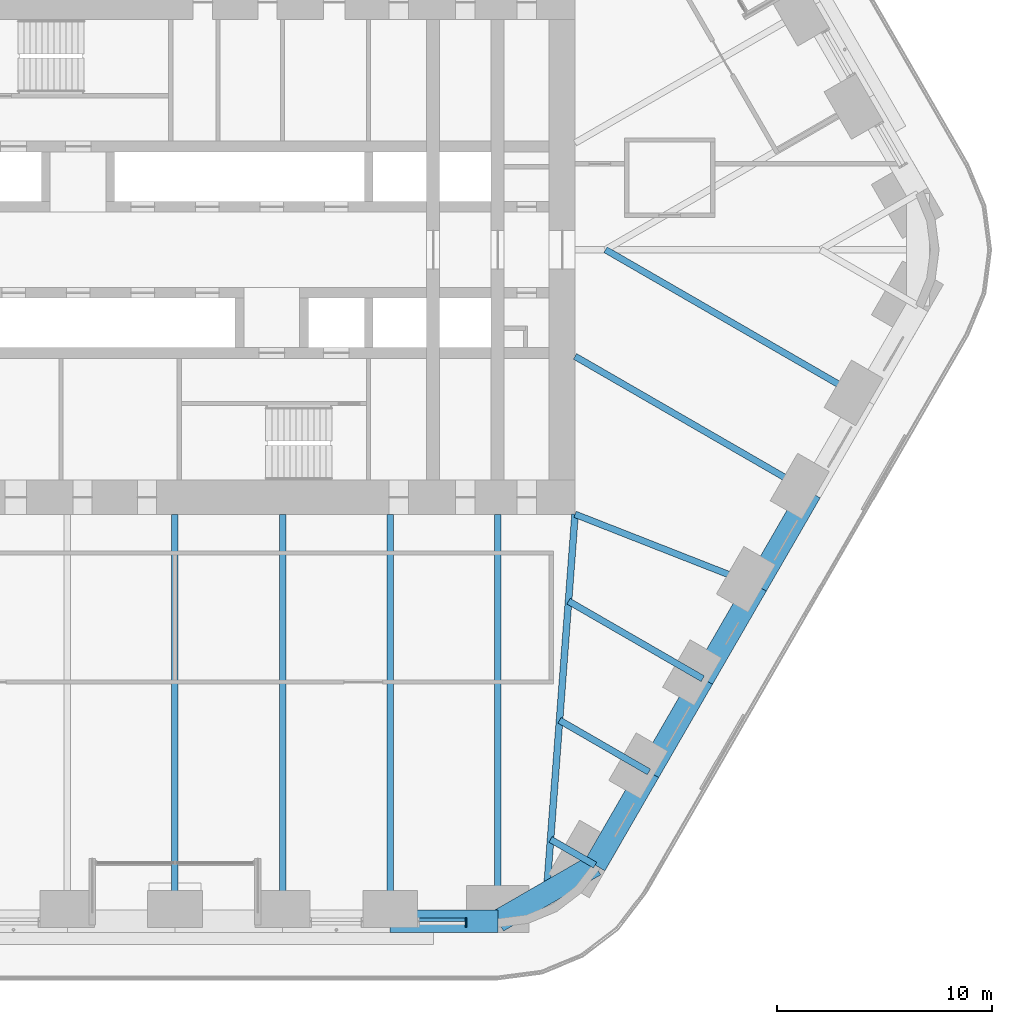
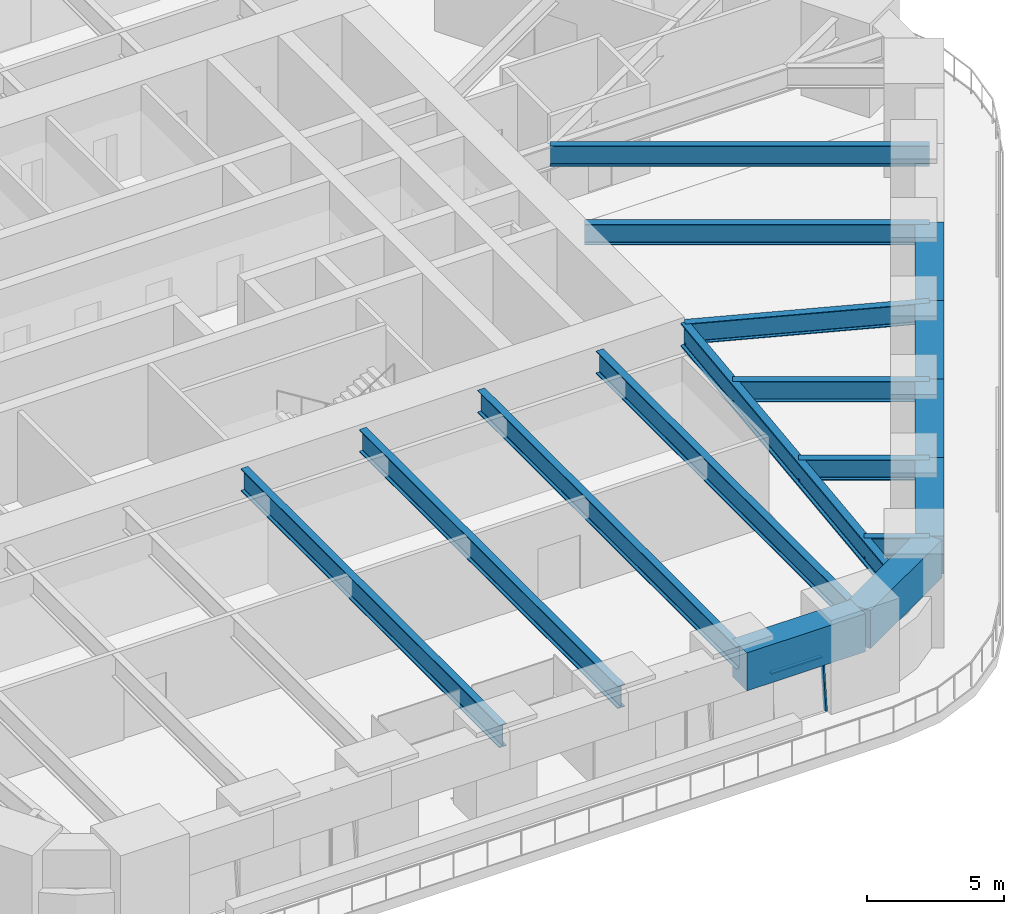
# One storey, part 5 of 24: 17 beams, 2 members, 1 element without a shape of its own.
"""IFC4 building model written with IfcOpenShell, lengths in metres."""

from ifc_helpers import new_model, si_unit, direction, frame, origin, origin_2d, place, context, subcontext, project, spatial, rectangle, i_section, extrude, material, material_profile, profile_set, type_object, element, aggregate, save


model = new_model("IFC4")

# Units and contexts
model_context = context("Model", 3, precision=1e-05, world=origin(), true_north=direction((0.0, 1.0)))
body_context = subcontext(model_context, "Body", "Model", "MODEL_VIEW")
ifc_project = project(units=[si_unit("LENGTHUNIT", "METRE"), si_unit("AREAUNIT", "SQUARE_METRE"), si_unit("VOLUMEUNIT", "CUBIC_METRE"), si_unit("PLANEANGLEUNIT", "RADIAN"), si_unit("MASSUNIT", "GRAM", prefix="KILO")], contexts=[model_context])

# Site, building, storey
site_placement = place(None, origin())
site = spatial("IfcSite", under=ifc_project, at=site_placement, CompositionType="ELEMENT")
building_placement = place(site_placement, origin())
building = spatial("IfcBuilding", under=site, at=building_placement, Name="Tarfa Lantern Tower", CompositionType="ELEMENT")
storey_placement = place(building_placement, frame((0.0, 0.0, 119.5)))
storey = spatial("IfcBuildingStorey", under=building, at=storey_placement, Name="L26", CompositionType="ELEMENT", Elevation=119.5)

# Curtain wall, members
ifc_material_1 = material(Name="Aluminium framed curtain wall", Category="aluminium")
curtain_wall_type = type_object("IfcCurtainWallType", Name="CW2 CANTED GLAZING MID ZONE 2300", PredefinedType="USERDEFINED", material=ifc_material_1)
curtain_wall_placement = place(storey_placement, origin())
curtain_wall = element("IfcCurtainWall", 1, at=curtain_wall_placement, inside=storey, type_object=curtain_wall_type, Name="CW2 SB L26", ObjectType="CURTAIN WALL", PredefinedType="USERDEFINED")
ifc_material_2 = material(Name="Aluminium mullion", Category="aluminium")
ifc_material_profile_1 = material_profile(ifc_material_2, rectangle(XDim=0.06494140625, YDim=0.199951171875, at=origin_2d()), Name="AL MULLION 65x200")
ifc_profile_set_1 = profile_set([ifc_material_profile_1], Name="Aluminium mullion")
member_type_1 = type_object("IfcMemberType", Name="CWM1 MULLION 65x200", PredefinedType="MULLION", material=ifc_profile_set_1)
member_1_placement = place(storey_placement, frame((13.528564453125, -31.39990234375, 0.0), z_axis=(0.0, 0.108056913548, 0.994144709504), x_axis=(-1.0, 0.0, 0.0)))
member_1 = element("IfcMember", 2, at=member_1_placement, type_object=member_type_1, Name="CW2 mullion 2", PredefinedType="MULLION", context=body_context, shape_type="SweptSolid", body=[
    extrude(rectangle(XDim=0.06494140625, YDim=0.199951171875, at=origin_2d()), origin(), (0.0, 0.0, 1.0), 2.3134765625),
])
ifc_material_3 = material(Name="Aluminium transom", Category="aluminium")
ifc_material_profile_2 = material_profile(ifc_material_3, rectangle(XDim=0.14990234375, YDim=0.06494140625, at=origin_2d()), Name="AL TRANSOM 150x65")
ifc_profile_set_2 = profile_set([ifc_material_profile_2], Name="Aluminium transom")
member_type_2 = type_object("IfcMemberType", Name="CWT1 TRANSOM 150x65", PredefinedType="USERDEFINED", material=ifc_profile_set_2)
member_2_placement = place(storey_placement, frame((11.347412109375, -31.153564453125, 2.267578125), z_axis=(1.0, 0.0, 0.0), x_axis=(0.0, 1.0, 0.0)))
member_2 = element("IfcMember", 3, at=member_2_placement, type_object=member_type_2, Name="CW2 transom 1.2", ObjectType="TRANSOM", PredefinedType="USERDEFINED", context=body_context, shape_type="SweptSolid", body=[
    extrude(rectangle(XDim=0.14990234375, YDim=0.06494140625, at=origin_2d()), origin(), (0.0, 0.0, 1.0), 2.148681640625),
])
aggregate(curtain_wall, [member_1, member_2])

# Beams
ifc_material_4 = material(Name="Concrete C80/95", Category="concrete")
ifc_material_profile_3 = material_profile(ifc_material_4, rectangle(XDim=1.050048828125, YDim=1.699951171875, at=origin_2d()), Name="RC 1050x1700")
ifc_profile_set_3 = profile_set([ifc_material_profile_3], Name="Concrete C80/95")
beam_type_1 = type_object("IfcBeamType", Name="RB2 RC 1050x1700", PredefinedType="BEAM", material=ifc_profile_set_3)
beam_1_placement = place(storey_placement, frame((10.00732421875, -31.219970703125, 3.14990234375), z_axis=(1.0, 0.0, 0.0), x_axis=(0.0, 1.0, 0.0)))
element("IfcBeam", 4, at=beam_1_placement, inside=storey, type_object=beam_type_1, Name="Edge beam S5", PredefinedType="BEAM", context=body_context, shape_type="SweptSolid", body=[
    extrude(rectangle(XDim=1.050048828125, YDim=1.699951171875, at=origin_2d()), origin(), (0.0, 0.0, 1.0), 5.003662109375),
])
beam_2_placement = place(storey_placement, frame((15.010986328125, -31.219970703125, 3.14990234375), z_axis=(0.86604150238, 0.499972115377, 0.0), x_axis=(-0.499972115377, 0.86604150238, 0.0)))
element("IfcBeam", 5, at=beam_2_placement, inside=storey, type_object=beam_type_1, Name="Edge beam S6", PredefinedType="BEAM", context=body_context, shape_type="SweptSolid", body=[
    extrude(rectangle(XDim=1.050048828125, YDim=1.699951171875, at=origin_2d()), origin(), (0.0, 0.0, 1.0), 5.219970703125),
])
beam_3_placement = place(storey_placement, frame((19.53173828125, -28.610107421875, 3.14990234375), z_axis=(0.500001197378, 0.866024712477, 0.0), x_axis=(-0.866024712477, 0.500001197378, 0.0)))
element("IfcBeam", 6, at=beam_3_placement, inside=storey, type_object=beam_type_1, Name="Edge beam SE0", PredefinedType="BEAM", context=body_context, shape_type="SweptSolid", body=[
    extrude(rectangle(XDim=1.050048828125, YDim=1.699951171875, at=origin_2d()), origin(), (0.0, 0.0, 1.0), 5.00390625),
])
for number, where, z_axis, x_axis, name in (
    (7, (22.03369140625, -24.276611328125, 3.14990234375), (0.49998573051, 0.866033642122, 0.0), (-0.866033642122, 0.49998573051, 0.0), "Edge beam SE1"),
    (8, (24.535400390625, -19.943359375, 3.14990234375), (0.500022324899, 0.866012514114, 0.0), (-0.866012514114, 0.500022324899, 0.0), "Edge beam SE2"),
    (9, (27.037353515625, -15.610107421875, 3.14990234375), (0.499964603504, 0.866045838996, 0.0), (-0.866045838996, 0.499964603504, 0.0), "Edge beam SE3"),
):
    element("IfcBeam", number, at=place(storey_placement, frame(where, z_axis=z_axis, x_axis=x_axis)), inside=storey, type_object=beam_type_1, Name=name, PredefinedType="BEAM", context=body_context, shape_type="SweptSolid", body=[
        extrude(rectangle(XDim=1.050048828125, YDim=1.699951171875, at=origin_2d()), origin(), (0.0, 0.0, 1.0), 5.003662109375),
    ])
ifc_material_5 = material(Name="Steel S460M", Category="steel")
ifc_material_profile_4 = material_profile(ifc_material_5, i_section(OverallWidth=0.302001953125, OverallDepth=1.008056640625, WebThickness=0.02099609375, FlangeThickness=0.0400390625, FilletRadius=0.030029296875, at=origin_2d()), Name="UB1016x305x349")
ifc_profile_set_4 = profile_set([ifc_material_profile_4], Name="Steel S460M")
beam_type_2 = type_object("IfcBeamType", Name="UB1016x305x349", PredefinedType="BEAM", material=ifc_profile_set_4)
for number, where, z_axis, x_axis, name in (
    (10, (0.0, -31.219970703125, 3.495849609375), (0.0, 1.0, 0.0), (-1.0, 0.0, 0.0), "Floor beam S3"),
    (11, (5.003662109375, -31.219970703125, 3.495849609375), (0.0, 1.0, 0.0), (-1.0, 0.0, 0.0), "Floor beam S4"),
    (12, (10.00732421875, -31.219970703125, 3.495849609375), (0.0, 1.0, 0.0), (-1.0, 0.0, 0.0), "Floor beam S5"),
    (13, (15.010986328125, -31.219970703125, 3.495849609375), (0.0, 1.0, 0.0), (-1.0, 0.0, 0.0), "Floor beam S6"),
):
    element("IfcBeam", number, at=place(storey_placement, frame(where, z_axis=z_axis, x_axis=x_axis)), inside=storey, type_object=beam_type_2, Name=name, PredefinedType="BEAM", context=body_context, shape_type="SweptSolid", body=[
        extrude(i_section(OverallWidth=0.302001953125, OverallDepth=1.008056640625, WebThickness=0.02099609375, FlangeThickness=0.0400390625, FilletRadius=0.030029296875, at=origin_2d()), origin(), (0.0, 0.0, 1.0), 18.919921875),
    ])
ifc_material_profile_5 = material_profile(ifc_material_5, i_section(OverallWidth=0.314208984375, OverallDepth=1.055908203125, WebThickness=0.035888671875, FlangeThickness=0.06396484375, FilletRadius=0.030029296875, at=origin_2d()), Name="UB1016x305x584")
ifc_profile_set_5 = profile_set([ifc_material_profile_5], Name="Steel S460M")
beam_type_3 = type_object("IfcBeamType", Name="UB1016x305x584", PredefinedType="BEAM", material=ifc_profile_set_5)
beam_4_placement = place(storey_placement, frame((18.60009765625, -12.300048828125, 3.471923828125), z_axis=(-0.075211516041, -0.99716760269, 0.0), x_axis=(0.99716760269, -0.075211516041, 0.0)))
element("IfcBeam", 14, at=beam_4_placement, inside=storey, type_object=beam_type_3, Name="Hip girder SE", PredefinedType="BEAM", context=body_context, shape_type="SweptSolid", body=[
    extrude(i_section(OverallWidth=0.314208984375, OverallDepth=1.055908203125, WebThickness=0.035888671875, FlangeThickness=0.06396484375, FilletRadius=0.030029296875, at=origin_2d()), origin(), (0.0, 0.0, 1.0), 17.6650390625),
])
ifc_material_profile_6 = material_profile(ifc_material_5, i_section(OverallWidth=0.305419921875, OverallDepth=0.91845703125, WebThickness=0.017333984375, FlangeThickness=0.02783203125, FilletRadius=0.01904296875, at=origin_2d()), Name="UB914x305x253")
ifc_profile_set_6 = profile_set([ifc_material_profile_6], Name="Steel S460M")
beam_type_4 = type_object("IfcBeamType", Name="UB914x305x253", PredefinedType="BEAM", material=ifc_profile_set_6)
beam_5_placement = place(storey_placement, frame((19.53173828125, -28.610107421875, 3.540771484375), z_axis=(-0.865998640954, 0.500046351717, 0.0), x_axis=(-0.500046351717, -0.865998640954, 0.0)))
element("IfcBeam", 15, at=beam_5_placement, inside=storey, type_object=beam_type_4, Name="Floor beam SE0", PredefinedType="BEAM", context=body_context, shape_type="SweptSolid", body=[
    extrude(i_section(OverallWidth=0.305419921875, OverallDepth=0.91845703125, WebThickness=0.017333984375, FlangeThickness=0.02783203125, FilletRadius=0.01904296875, at=origin_2d()), origin(), (0.0, 0.0, 1.0), 2.392333984375),
])
beam_6_placement = place(storey_placement, frame((22.03369140625, -24.276611328125, 3.540771484375), z_axis=(-0.866030550462, 0.499991085587, 0.0), x_axis=(-0.499991085587, -0.866030550462, 0.0)))
element("IfcBeam", 16, at=beam_6_placement, inside=storey, type_object=beam_type_4, Name="Floor beam SE1", PredefinedType="BEAM", context=body_context, shape_type="SweptSolid", body=[
    extrude(i_section(OverallWidth=0.305419921875, OverallDepth=0.91845703125, WebThickness=0.017333984375, FlangeThickness=0.02783203125, FilletRadius=0.01904296875, at=origin_2d()), origin(), (0.0, 0.0, 1.0), 4.798828125),
])
beam_7_placement = place(storey_placement, frame((24.535400390625, -19.943359375, 3.540771484375), z_axis=(-0.86602647304, 0.499998147991, 0.0), x_axis=(-0.499998147991, -0.86602647304, 0.0)))
element("IfcBeam", 17, at=beam_7_placement, inside=storey, type_object=beam_type_4, Name="Floor beam SE2", PredefinedType="BEAM", context=body_context, shape_type="SweptSolid", body=[
    extrude(i_section(OverallWidth=0.305419921875, OverallDepth=0.91845703125, WebThickness=0.017333984375, FlangeThickness=0.02783203125, FilletRadius=0.01904296875, at=origin_2d()), origin(), (0.0, 0.0, 1.0), 7.20556640625),
])
beam_8_placement = place(storey_placement, frame((27.037353515625, -15.610107421875, 3.540771484375), z_axis=(-0.930923282782, 0.365214788274, 0.0), x_axis=(-0.365214788274, -0.930923282782, 0.0)))
element("IfcBeam", 18, at=beam_8_placement, inside=storey, type_object=beam_type_4, Name="Floor beam SE3", PredefinedType="BEAM", context=body_context, shape_type="SweptSolid", body=[
    extrude(i_section(OverallWidth=0.305419921875, OverallDepth=0.91845703125, WebThickness=0.017333984375, FlangeThickness=0.02783203125, FilletRadius=0.01904296875, at=origin_2d()), origin(), (0.0, 0.0, 1.0), 9.063232421875),
])
beam_9_placement = place(storey_placement, frame((29.5390625, -11.276611328125, 3.540771484375), z_axis=(-0.866023362995, 0.500003534735, 0.0), x_axis=(-0.500003534735, -0.866023362995, 0.0)))
element("IfcBeam", 19, at=beam_9_placement, inside=storey, type_object=beam_type_4, Name="Floor beam SE4", PredefinedType="BEAM", context=body_context, shape_type="SweptSolid", body=[
    extrude(i_section(OverallWidth=0.305419921875, OverallDepth=0.91845703125, WebThickness=0.017333984375, FlangeThickness=0.02783203125, FilletRadius=0.01904296875, at=origin_2d()), origin(), (0.0, 0.0, 1.0), 12.63134765625),
])
beam_10_placement = place(storey_placement, frame((32.041015625, -6.943359375, 3.540771484375), z_axis=(-0.866023096411, 0.500003996466, 0.0), x_axis=(-0.500003996466, -0.866023096411, 0.0)))
element("IfcBeam", 20, at=beam_10_placement, inside=storey, type_object=beam_type_4, Name="Floor beam SE5", PredefinedType="BEAM", context=body_context, shape_type="SweptSolid", body=[
    extrude(i_section(OverallWidth=0.305419921875, OverallDepth=0.91845703125, WebThickness=0.017333984375, FlangeThickness=0.02783203125, FilletRadius=0.01904296875, at=origin_2d()), origin(), (0.0, 0.0, 1.0), 13.88671875),
])

save(model, "model.ifc")
